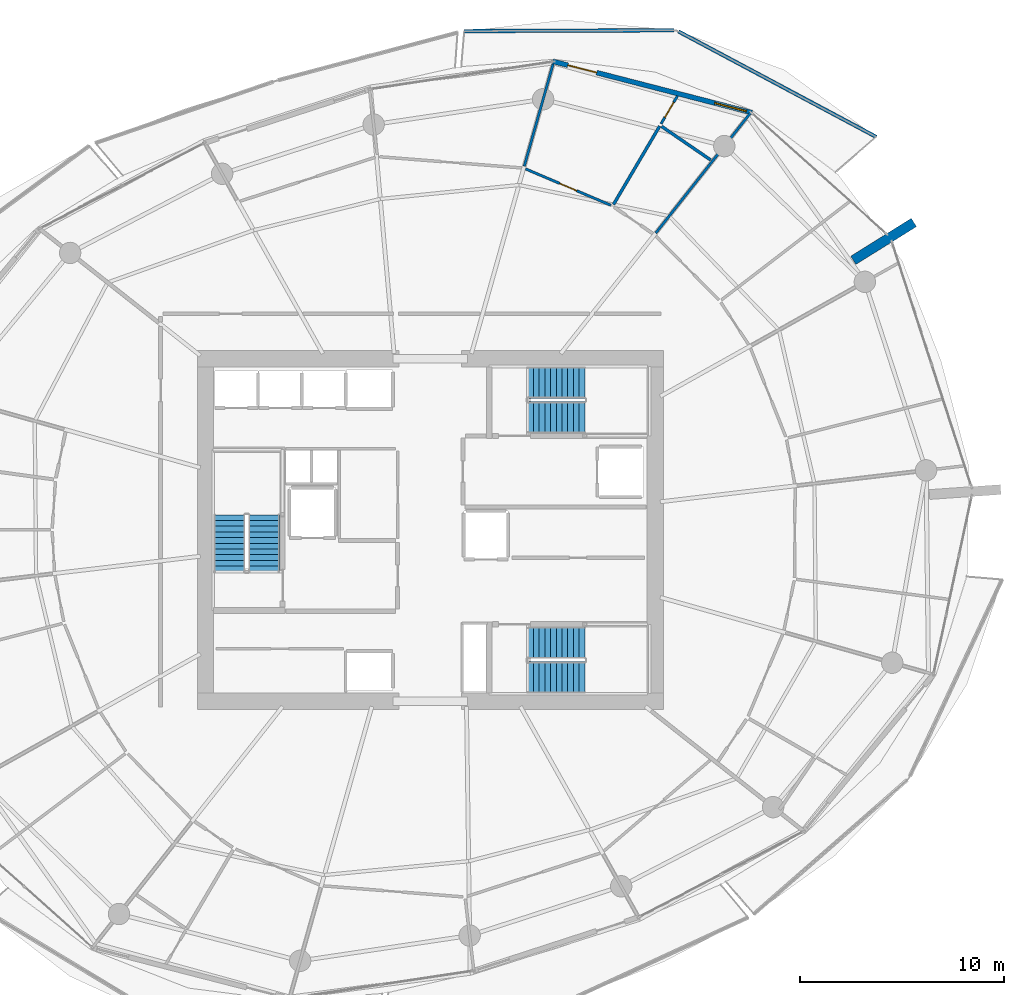
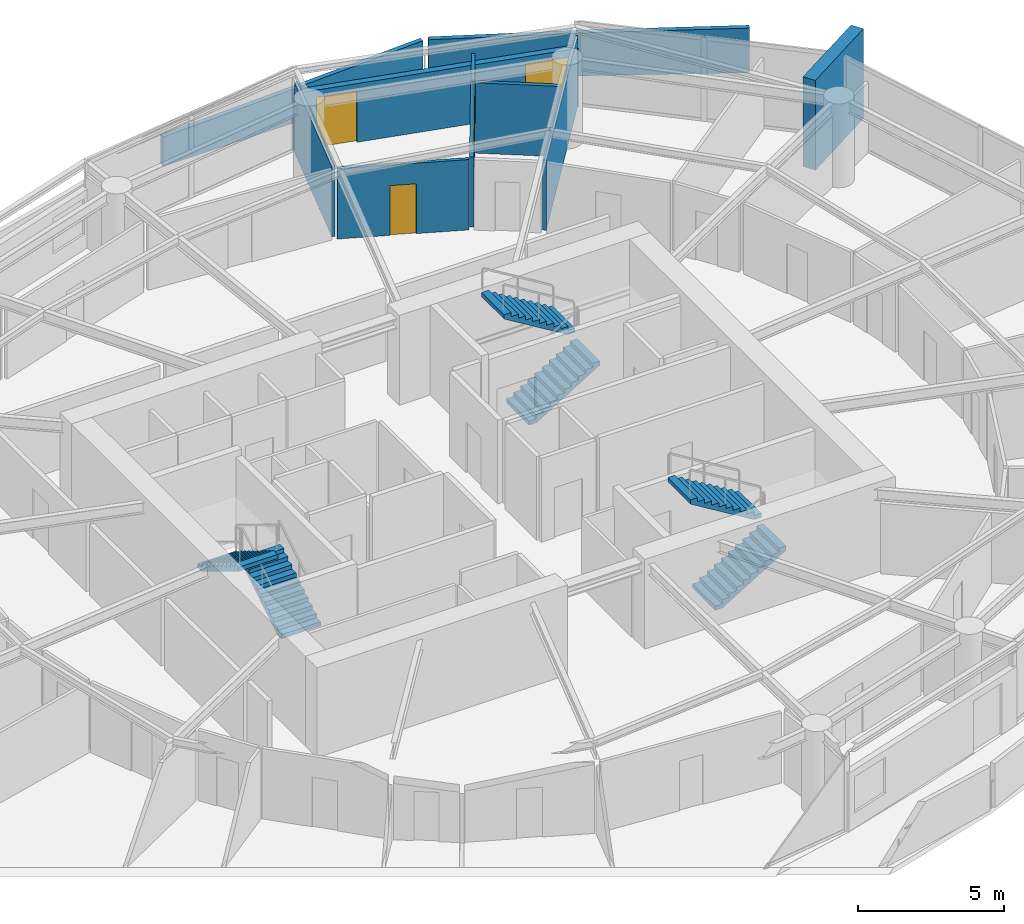
# One storey, part 15 of 20: 10 walls, 6 stair flights, 3 doors, 1 window, 4 openings, 3 elements without a shape of their own.
"""IFC4 building model written with IfcOpenShell, lengths in metres."""

from ifc_helpers import new_model, si_unit, direction, frame, frame_2d, origin, place, context, subcontext, project, spatial, polyline, rectangle, outline, extrude, material, layer, layer_set, type_object, element, fill, aggregate, save


model = new_model("IFC4")

# Units and contexts
model_context = context("Model", 3, precision=1e-05, world=origin(), true_north=direction((0.0, 1.0)))
body_context = subcontext(model_context, "Body", "Model", "MODEL_VIEW")
ifc_project = project(units=[si_unit("LENGTHUNIT", "METRE"), si_unit("AREAUNIT", "SQUARE_METRE"), si_unit("VOLUMEUNIT", "CUBIC_METRE"), si_unit("PLANEANGLEUNIT", "RADIAN"), si_unit("MASSUNIT", "GRAM", prefix="KILO")], contexts=[model_context])

# Site, building, storey
site_placement = place(None, origin())
site = spatial("IfcSite", under=ifc_project, at=site_placement, CompositionType="ELEMENT")
building_placement = place(site_placement, origin())
building = spatial("IfcBuilding", under=site, at=building_placement, Name="Kazma Halo Residences", CompositionType="ELEMENT")
storey_placement = place(building_placement, frame((0.0, 0.0, 139.050048828125)))
storey = spatial("IfcBuildingStorey", under=building, at=storey_placement, Name="L34", CompositionType="ELEMENT", Elevation=139.050048828125)

# Walls
ifc_material_1 = material(Name="White Concrete C50/60 Balustrade", Category="concrete")
ifc_layer_1 = layer(ifc_material_1, 0.179931640625)
ifc_layer_set_1 = layer_set([ifc_layer_1], Name="White Concrete C50/60 Balustrade")
wall_type_1 = type_object("IfcWallType", Name="WL-BAL-WAVE-180", PredefinedType="PARAPET", material=ifc_layer_set_1)
wall_1_placement = place(storey_placement, frame((70.2900390625, 61.274169921875, 0.0), z_axis=(0.0, 0.0, 1.0), x_axis=(-0.882327117471, 0.470636651543, 0.0)))
element("IfcWall", 1, at=wall_1_placement, inside=storey, type_object=wall_type_1, Name="L34 white wave balustrade wall NE.1", PredefinedType="PARAPET", context=body_context, shape_type="SweptSolid", body=[
    extrude(outline(polyline([(0.0, 0.0), (10.9921875, 0.0), (10.9921875, 1.6318359375), (5.49609375, 1.7978515625), (0.0, 1.85986328125), (0.0, 0.0)])), frame((0.0, 0.08984375, 0.0), z_axis=(0.0, -1.0, 0.0), x_axis=(1.0, 0.0, 0.0)), (0.0, 0.0, 1.0), 0.179931640625),
])
wall_2_placement = place(storey_placement, frame((60.365478515625, 66.50341796875, 0.0), z_axis=(0.0, 0.0, 1.0), x_axis=(-0.999991960948, -0.004009743075, 0.0)))
element("IfcWall", 2, at=wall_2_placement, inside=storey, type_object=wall_type_1, Name="L34 white wave balustrade wall NE.2", PredefinedType="PARAPET", context=body_context, shape_type="SweptSolid", body=[
    extrude(outline(polyline([(0.0, 0.0), (10.289794921875, 0.0), (10.289794921875, 1.23291015625), (5.14501953125, 1.41796875), (0.0, 1.6318359375), (0.0, 0.0)])), frame((0.0, 0.08984375, 0.0), z_axis=(0.0, -1.0, 0.0), x_axis=(1.0, 0.0, 0.0)), (0.0, 0.0, 1.0), 0.179931640625),
])
ifc_material_2 = material(Name="Pale Concrete C60/75", Category="concrete")
ifc_layer_2 = layer(ifc_material_2, 0.47998046875)
ifc_layer_set_2 = layer_set([ifc_layer_2], Name="Pale Concrete C60/75")
wall_type_2 = type_object("IfcWallType", Name="WL-BLADE-480", PredefinedType="SOLIDWALL", material=ifc_layer_set_2)
wall_3_placement = place(storey_placement, frame((69.165283203125, 55.2255859375, 0.0), z_axis=(0.0, 0.0, 1.0), x_axis=(0.848053161125, 0.529911158502, 0.0)))
element("IfcWall", 3, at=wall_3_placement, inside=storey, type_object=wall_type_2, Name="L34 pale concrete structural blade fin wall BW-01", PredefinedType="SOLIDWALL", context=body_context, shape_type="SweptSolid", body=[
    extrude(rectangle(XDim=3.5, YDim=0.47998046875, at=frame_2d((1.75, 0.0))), origin(), (0.0, 0.0, 1.0), 3.75),
])

# Wall, openings, door, window
ifc_material_3 = material(Name="Insulated Pale-Metal Composite Wall")
ifc_layer_3 = layer(ifc_material_3, 0.239990234375)
ifc_layer_set_3 = layer_set([ifc_layer_3], Name="Insulated Pale-Metal Composite Wall")
wall_type_3 = type_object("IfcWallType", Name="WL-EXT-HOST-240", PredefinedType="SOLIDWALL", material=ifc_layer_set_3)
wall_4_placement = place(storey_placement, frame((64.192138671875, 62.4658203125, 0.0), z_axis=(0.0, 0.0, 1.0), x_axis=(-0.968379685126, 0.249481032214, 0.0)))
wall_4 = element("IfcWall", 4, at=wall_4_placement, inside=storey, type_object=wall_type_3, Name="L34 exterior terrace-access wall B02", PredefinedType="SOLIDWALL", context=body_context, shape_type="SweptSolid", body=[
    extrude(rectangle(XDim=10.08154296875, YDim=0.239990234375, at=frame_2d((5.040771484375, 0.0))), origin(), (0.0, 0.0, 1.0), 2.449951171875),
])
opening_1_placement = place(wall_4_placement, frame((7.861572265625, 0.0, 0.0)))
opening_1 = element("IfcOpeningElement", 5, at=opening_1_placement, cuts=wall_4, Name="Opening DTR-1600", PredefinedType="OPENING", context=body_context, shape_type="SweptSolid", body=[
    extrude(rectangle(XDim=1.449951171875, YDim=2.14990234375, at=frame_2d((0.72509765625, 1.074951171875))), frame((0.0, 0.1298828125, 0.0), z_axis=(0.0, -1.0, 0.0), x_axis=(1.0, 0.0, 0.0)), (0.0, 0.0, 1.0), 0.260009765625),
])
opening_2_placement = place(wall_4_placement, frame((0.280029296875, 0.0, 0.64990234375)))
opening_2 = element("IfcOpeningElement", 6, at=opening_2_placement, cuts=wall_4, Name="Opening W-1800", PredefinedType="OPENING", context=body_context, shape_type="SweptSolid", body=[
    extrude(rectangle(XDim=1.60009765625, YDim=1.5, at=frame_2d((0.800048828125, 0.75))), frame((0.0, 0.1298828125, 0.0), z_axis=(0.0, -1.0, 0.0), x_axis=(1.0, 0.0, 0.0)), (0.0, 0.0, 1.0), 0.260009765625),
])
ifc_material_4 = material(Name="Aluminium AW-6063 T6 Double-Glazed Terrace Door", Category="aluminium")
door_type_1 = type_object("IfcDoorType", Name="DR-EXT-TERR-1600", OperationType="NOTDEFINED", PredefinedType="DOOR", material=ifc_material_4)
door_1_placement = place(opening_1_placement, origin())
door_1 = element("IfcDoor", 7, at=door_1_placement, inside=storey, type_object=door_type_1, Name="L34 B02 balcony terrace door", OperationType="DOUBLE_DOOR_SLIDING", OverallHeight=2.14990234375, OverallWidth=1.449951171875, PredefinedType="DOOR", context=body_context, shape_type="SweptSolid", body=[
    extrude(rectangle(XDim=1.449951171875, YDim=2.14990234375, at=frame_2d((0.72509765625, 1.074951171875))), frame((0.0, 0.02490234375, 0.0), z_axis=(0.0, -1.0, 0.0), x_axis=(1.0, 0.0, 0.0)), (0.0, 0.0, 1.0), 0.050048828125),
])
fill(opening_1, door_1)
ifc_material_5 = material(Name="Clear Triple-Silver Low-E Glass in Aluminium AW-6063 T6 Frame", Category="aluminium")
window_type = type_object("IfcWindowType", Name="WIN-RES-1800", PartitioningType="DOUBLE_PANEL_VERTICAL", PredefinedType="WINDOW", material=ifc_material_5)
window_placement = place(opening_2_placement, origin())
window = element("IfcWindow", 8, at=window_placement, inside=storey, type_object=window_type, Name="L34 B02 apartment window", OverallHeight=1.5, OverallWidth=1.60009765625, PartitioningType="SINGLE_PANEL", PredefinedType="WINDOW", context=body_context, shape_type="SweptSolid", body=[
    extrude(rectangle(XDim=1.60009765625, YDim=1.5, at=frame_2d((0.800048828125, 0.75))), frame((0.0, 0.030029296875, 0.0), z_axis=(0.0, -1.0, 0.0), x_axis=(1.0, 0.0, 0.0)), (0.0, 0.0, 1.0), 0.06005859375),
])
fill(opening_2, window)

# Wall
ifc_material_6 = material(Name="Gypsum Plasterboard Partition")
ifc_layer_4 = layer(ifc_material_6, 0.125)
ifc_layer_set_4 = layer_set([ifc_layer_4], Name="Gypsum Plasterboard Partition")
wall_type_4 = type_object("IfcWallType", Name="WL-PART-125", PredefinedType="PARTITIONING", material=ifc_layer_set_4)
wall_5_placement = place(storey_placement, frame((59.477294921875, 56.55908203125, 0.0), z_axis=(0.0, 0.0, 1.0), x_axis=(0.619110986016, 0.785303499925, 0.0)))
element("IfcWall", 9, at=wall_5_placement, inside=storey, type_object=wall_type_4, Name="L34 Apartment 2 radial partition 1", PredefinedType="PARTITIONING", context=body_context, shape_type="SweptSolid", body=[
    extrude(rectangle(XDim=7.5126953125, YDim=0.125, at=frame_2d((3.75634765625, 0.0))), origin(), (0.0, 0.0, 1.0), 2.93994140625),
])

# Wall, opening, door
wall_6_placement = place(storey_placement, frame((59.7373046875, 61.91796875, 0.0), z_axis=(0.0, 0.0, 1.0), x_axis=(0.507633052519, 0.86157337702, 0.0)))
wall_6 = element("IfcWall", 10, at=wall_6_placement, inside=storey, type_object=wall_type_4, Name="L34 Apartment 2 Outer Walk-In Wardrobe partition wall", PredefinedType="PARTITIONING", context=body_context, shape_type="SweptSolid", body=[
    extrude(rectangle(XDim=1.583740234375, YDim=0.125, at=frame_2d((0.7919921875, 0.0))), origin(), (0.0, 0.0, 1.0), 2.93994140625),
])
opening_3_placement = place(wall_6_placement, frame((0.366943359375, 0.0, 0.0)))
opening_3 = element("IfcOpeningElement", 11, at=opening_3_placement, cuts=wall_6, Name="Opening DB-900", PredefinedType="OPENING", context=body_context, shape_type="SweptSolid", body=[
    extrude(rectangle(XDim=0.85009765625, YDim=2.06005859375, at=frame_2d((0.425048828125, 1.030029296875))), frame((0.0, 0.072509765625, 0.0), z_axis=(0.0, -1.0, 0.0), x_axis=(1.0, 0.0, 0.0)), (0.0, 0.0, 1.0), 0.14501953125),
])
ifc_material_7 = material(Name="Moisture-Sealed Timber Leaf", Category="wood")
door_type_2 = type_object("IfcDoorType", Name="DR-BTH-900", OperationType="NOTDEFINED", PredefinedType="DOOR", material=ifc_material_7)
door_2_placement = place(opening_3_placement, origin())
door_2 = element("IfcDoor", 12, at=door_2_placement, inside=storey, type_object=door_type_2, Name="L34 Apartment 2 Outer Walk-In Wardrobe door", OperationType="SINGLE_SWING_LEFT", OverallHeight=2.06005859375, OverallWidth=0.85009765625, PredefinedType="DOOR", context=body_context, shape_type="SweptSolid", body=[
    extrude(rectangle(XDim=0.85009765625, YDim=2.06005859375, at=frame_2d((0.425048828125, 1.030029296875))), frame((0.0, 0.02490234375, 0.0), z_axis=(0.0, -1.0, 0.0), x_axis=(1.0, 0.0, 0.0)), (0.0, 0.0, 1.0), 0.050048828125),
])
fill(opening_3, door_2)

wall_7_placement = place(storey_placement, frame((57.278564453125, 57.92138671875, 0.0), z_axis=(0.0, 0.0, 1.0), x_axis=(-0.919613735451, 0.392823850561, 0.0)))
wall_7 = element("IfcWall", 13, at=wall_7_placement, inside=storey, type_object=wall_type_4, Name="L34 Apartment 2 Corner Master Bedroom hall wall", PredefinedType="PARTITIONING", context=body_context, shape_type="SweptSolid", body=[
    extrude(rectangle(XDim=4.546875, YDim=0.125, at=frame_2d((2.2734375, 0.0))), origin(), (0.0, 0.0, 1.0), 2.93994140625),
])
opening_4_placement = place(wall_7_placement, frame((1.823486328125, 0.0, 0.0)))
opening_4 = element("IfcOpeningElement", 14, at=opening_4_placement, cuts=wall_7, Name="Opening DI-950", PredefinedType="OPENING", context=body_context, shape_type="SweptSolid", body=[
    extrude(rectangle(XDim=0.89990234375, YDim=2.080078125, at=frame_2d((0.449951171875, 1.0400390625))), frame((0.0, 0.072509765625, 0.0), z_axis=(0.0, -1.0, 0.0), x_axis=(1.0, 0.0, 0.0)), (0.0, 0.0, 1.0), 0.14501953125),
])
ifc_material_8 = material(Name="Timber Veneer Flush Leaf", Category="wood")
door_type_3 = type_object("IfcDoorType", Name="DR-INT-950", OperationType="NOTDEFINED", PredefinedType="DOOR", material=ifc_material_8)
door_3_placement = place(opening_4_placement, origin())
door_3 = element("IfcDoor", 15, at=door_3_placement, inside=storey, type_object=door_type_3, Name="L34 Apartment 2 Corner Master Bedroom door", OperationType="SINGLE_SWING_RIGHT", OverallHeight=2.080078125, OverallWidth=0.89990234375, PredefinedType="DOOR", context=body_context, shape_type="SweptSolid", body=[
    extrude(rectangle(XDim=0.89990234375, YDim=2.080078125, at=frame_2d((0.449951171875, 1.0400390625))), frame((0.0, 0.02490234375, 0.0), z_axis=(0.0, -1.0, 0.0), x_axis=(1.0, 0.0, 0.0)), (0.0, 0.0, 1.0), 0.050048828125),
])
fill(opening_4, door_3)

# Walls
wall_8_placement = place(storey_placement, frame((53.0322265625, 59.843017578125, 0.0), z_axis=(0.0, 0.0, 1.0), x_axis=(0.271445669276, 0.962453764412, 0.0)))
element("IfcWall", 16, at=wall_8_placement, inside=storey, type_object=wall_type_4, Name="L34 Apartment 2 radial partition 2", PredefinedType="PARTITIONING", context=body_context, shape_type="SweptSolid", body=[
    extrude(rectangle(XDim=5.200439453125, YDim=0.125, at=frame_2d((2.60009765625, 0.0))), origin(), (0.0, 0.0, 1.0), 2.93994140625),
])
ifc_material_9 = material(Name="Moisture-Resistant Gypsum")
ifc_layer_5 = layer(ifc_material_9, 0.14990234375)
ifc_layer_set_5 = layer_set([ifc_layer_5], Name="Moisture-Resistant Gypsum")
wall_type_5 = type_object("IfcWallType", Name="WL-WET-150", PredefinedType="PARTITIONING", material=ifc_layer_set_5)
wall_9_placement = place(storey_placement, frame((62.174560546875, 60.1416015625, 0.0), z_axis=(0.0, 0.0, 1.0), x_axis=(-0.825323675893, 0.564659924212, 0.0)))
element("IfcWall", 17, at=wall_9_placement, inside=storey, type_object=wall_type_5, Name="L34 Apartment 2 Inner En-Suite Bathroom back wall", PredefinedType="PARTITIONING", context=body_context, shape_type="SweptSolid", body=[
    extrude(rectangle(XDim=2.91845703125, YDim=0.14990234375, at=frame_2d((1.459228515625, 0.0))), origin(), (0.0, 0.0, 1.0), 2.93994140625),
])
wall_10_placement = place(storey_placement, frame((57.406982421875, 57.96337890625, 0.0), z_axis=(0.0, 0.0, 1.0), x_axis=(0.507701739566, 0.8615329034, 0.0)))
element("IfcWall", 18, at=wall_10_placement, inside=storey, type_object=wall_type_5, Name="L34 Apartment 2 Inner En-Suite Bathroom side wall", PredefinedType="PARTITIONING", context=body_context, shape_type="SweptSolid", body=[
    extrude(rectangle(XDim=4.460205078125, YDim=0.14990234375, at=frame_2d((2.22998046875, 0.0))), origin(), (0.0, 0.0, 1.0), 2.93994140625),
])

# Stair, stair flights
ifc_material_10 = material(Name="Concrete C50/60", Category="concrete")
stair_type = type_object("IfcStairType", Name="STR-RES1", PredefinedType="HALF_TURN_STAIR", material=ifc_material_10)
stair_1_placement = place(storey_placement, origin())
stair_1 = element("IfcStair", 19, at=stair_1_placement, inside=storey, type_object=stair_type, Name="L34 Core exit stair ST-01", PredefinedType="HALF_TURN_STAIR")
stair_flight_type = type_object("IfcStairFlightType", Name="STR-RES1-FLT", PredefinedType="STRAIGHT", material=ifc_material_10)
stair_flight_1_placement = place(storey_placement, frame((40.27490234375, 39.949951171875, 0.0), z_axis=(0.0, 0.0, 1.0), x_axis=(0.0, 1.0, 0.0)))
stair_flight_1 = element("IfcStairFlight", 20, at=stair_flight_1_placement, type_object=stair_flight_type, Name="ST-01 flight 1", NumberOfRisers=11, NumberOfTreads=10, PredefinedType="STRAIGHT", RiserHeight=0.170454545, TreadLength=0.28, context=body_context, shape_type="SweptSolid", body=[
    extrude(outline(polyline([(0.0, 0.0), (0.0, 0.17041015625), (0.280029296875, 0.17041015625), (0.280029296875, 0.3408203125), (0.56005859375, 0.3408203125), (0.56005859375, 0.511474609375), (0.840087890625, 0.511474609375), (0.840087890625, 0.681884765625), (1.1201171875, 0.681884765625), (1.1201171875, 0.852294921875), (1.39990234375, 0.852294921875), (1.39990234375, 1.022705078125), (1.679931640625, 1.022705078125), (1.679931640625, 1.193115234375), (1.9599609375, 1.193115234375), (1.9599609375, 1.363525390625), (2.239990234375, 1.363525390625), (2.239990234375, 1.5341796875), (2.52001953125, 1.5341796875), (2.52001953125, 1.70458984375), (2.800048828125, 1.70458984375), (2.800048828125, 1.875), (2.800048828125, 1.529052734375), (0.288330078125, 0.0), (0.0, 0.0)])), frame((0.0, 0.77490234375, 0.0), z_axis=(0.0, -1.0, 0.0), x_axis=(1.0, 0.0, 0.0)), (0.0, 0.0, 1.0), 1.550048828125),
])
stair_flight_2_placement = place(storey_placement, frame((38.574951171875, 42.75, 1.875), z_axis=(0.0, 0.0, 1.0), x_axis=(0.0, -1.0, 0.0)))
stair_flight_2 = element("IfcStairFlight", 21, at=stair_flight_2_placement, type_object=stair_flight_type, Name="ST-01 flight 2", NumberOfRisers=11, NumberOfTreads=10, PredefinedType="STRAIGHT", RiserHeight=0.170454545, TreadLength=0.28, context=body_context, shape_type="SweptSolid", body=[
    extrude(outline(polyline([(0.0, 0.0), (0.0, 0.17041015625), (0.280029296875, 0.17041015625), (0.280029296875, 0.3408203125), (0.56005859375, 0.3408203125), (0.56005859375, 0.511474609375), (0.840087890625, 0.511474609375), (0.840087890625, 0.681884765625), (1.1201171875, 0.681884765625), (1.1201171875, 0.852294921875), (1.39990234375, 0.852294921875), (1.39990234375, 1.022705078125), (1.679931640625, 1.022705078125), (1.679931640625, 1.193115234375), (1.9599609375, 1.193115234375), (1.9599609375, 1.363525390625), (2.239990234375, 1.363525390625), (2.239990234375, 1.5341796875), (2.52001953125, 1.5341796875), (2.52001953125, 1.70458984375), (2.800048828125, 1.70458984375), (2.800048828125, 1.875), (2.800048828125, 1.529052734375), (0.288330078125, 0.0), (0.0, 0.0)])), frame((0.0, 0.77490234375, 0.0), z_axis=(0.0, -1.0, 0.0), x_axis=(1.0, 0.0, 0.0)), (0.0, 0.0, 1.0), 1.550048828125),
])
aggregate(stair_1, [stair_flight_1, stair_flight_2])

stair_2_placement = place(storey_placement, origin())
stair_2 = element("IfcStair", 22, at=stair_2_placement, inside=storey, type_object=stair_type, Name="L34 Core exit stair ST-02", PredefinedType="HALF_TURN_STAIR")
stair_flight_3_placement = place(storey_placement, frame((53.199951171875, 47.52490234375, 0.0), z_axis=(0.0, 0.0, 1.0), x_axis=(1.0, 0.0, 0.0)))
stair_flight_3 = element("IfcStairFlight", 23, at=stair_flight_3_placement, type_object=stair_flight_type, Name="ST-02 flight 1", NumberOfRisers=11, NumberOfTreads=10, PredefinedType="STRAIGHT", RiserHeight=0.170454545, TreadLength=0.28, context=body_context, shape_type="SweptSolid", body=[
    extrude(outline(polyline([(0.0, 0.0), (0.0, 0.17041015625), (0.280029296875, 0.17041015625), (0.280029296875, 0.3408203125), (0.56005859375, 0.3408203125), (0.56005859375, 0.511474609375), (0.840087890625, 0.511474609375), (0.840087890625, 0.681884765625), (1.1201171875, 0.681884765625), (1.1201171875, 0.852294921875), (1.39990234375, 0.852294921875), (1.39990234375, 1.022705078125), (1.679931640625, 1.022705078125), (1.679931640625, 1.193115234375), (1.9599609375, 1.193115234375), (1.9599609375, 1.363525390625), (2.239990234375, 1.363525390625), (2.239990234375, 1.5341796875), (2.52001953125, 1.5341796875), (2.52001953125, 1.70458984375), (2.800048828125, 1.70458984375), (2.800048828125, 1.875), (2.800048828125, 1.529052734375), (0.288330078125, 0.0), (0.0, 0.0)])), frame((0.0, 0.77490234375, 0.0), z_axis=(0.0, -1.0, 0.0), x_axis=(1.0, 0.0, 0.0)), (0.0, 0.0, 1.0), 1.550048828125),
])
stair_flight_4_placement = place(storey_placement, frame((56.0, 49.22509765625, 1.875), z_axis=(0.0, 0.0, 1.0), x_axis=(-1.0, 0.0, 0.0)))
stair_flight_4 = element("IfcStairFlight", 24, at=stair_flight_4_placement, type_object=stair_flight_type, Name="ST-02 flight 2", NumberOfRisers=11, NumberOfTreads=10, PredefinedType="STRAIGHT", RiserHeight=0.170454545, TreadLength=0.28, context=body_context, shape_type="SweptSolid", body=[
    extrude(outline(polyline([(0.0, 0.0), (0.0, 0.17041015625), (0.280029296875, 0.17041015625), (0.280029296875, 0.3408203125), (0.56005859375, 0.3408203125), (0.56005859375, 0.511474609375), (0.840087890625, 0.511474609375), (0.840087890625, 0.681884765625), (1.1201171875, 0.681884765625), (1.1201171875, 0.852294921875), (1.39990234375, 0.852294921875), (1.39990234375, 1.022705078125), (1.679931640625, 1.022705078125), (1.679931640625, 1.193115234375), (1.9599609375, 1.193115234375), (1.9599609375, 1.363525390625), (2.239990234375, 1.363525390625), (2.239990234375, 1.5341796875), (2.52001953125, 1.5341796875), (2.52001953125, 1.70458984375), (2.800048828125, 1.70458984375), (2.800048828125, 1.875), (2.800048828125, 1.529052734375), (0.288330078125, 0.0), (0.0, 0.0)])), frame((0.0, 0.77490234375, 0.0), z_axis=(0.0, -1.0, 0.0), x_axis=(1.0, 0.0, 0.0)), (0.0, 0.0, 1.0), 1.550048828125),
])
aggregate(stair_2, [stair_flight_3, stair_flight_4])

stair_3_placement = place(storey_placement, origin())
stair_3 = element("IfcStair", 25, at=stair_3_placement, inside=storey, type_object=stair_type, Name="L34 Core exit stair ST-03", PredefinedType="HALF_TURN_STAIR")
stair_flight_5_placement = place(storey_placement, frame((53.199951171875, 34.77490234375, 0.0), z_axis=(0.0, 0.0, 1.0), x_axis=(1.0, 0.0, 0.0)))
stair_flight_5 = element("IfcStairFlight", 26, at=stair_flight_5_placement, type_object=stair_flight_type, Name="ST-03 flight 1", NumberOfRisers=11, NumberOfTreads=10, PredefinedType="STRAIGHT", RiserHeight=0.170454545, TreadLength=0.28, context=body_context, shape_type="SweptSolid", body=[
    extrude(outline(polyline([(0.0, 0.0), (0.0, 0.17041015625), (0.280029296875, 0.17041015625), (0.280029296875, 0.3408203125), (0.56005859375, 0.3408203125), (0.56005859375, 0.511474609375), (0.840087890625, 0.511474609375), (0.840087890625, 0.681884765625), (1.1201171875, 0.681884765625), (1.1201171875, 0.852294921875), (1.39990234375, 0.852294921875), (1.39990234375, 1.022705078125), (1.679931640625, 1.022705078125), (1.679931640625, 1.193115234375), (1.9599609375, 1.193115234375), (1.9599609375, 1.363525390625), (2.239990234375, 1.363525390625), (2.239990234375, 1.5341796875), (2.52001953125, 1.5341796875), (2.52001953125, 1.70458984375), (2.800048828125, 1.70458984375), (2.800048828125, 1.875), (2.800048828125, 1.529052734375), (0.288330078125, 0.0), (0.0, 0.0)])), frame((0.0, 0.77490234375, 0.0), z_axis=(0.0, -1.0, 0.0), x_axis=(1.0, 0.0, 0.0)), (0.0, 0.0, 1.0), 1.550048828125),
])
stair_flight_6_placement = place(storey_placement, frame((56.0, 36.47509765625, 1.875), z_axis=(0.0, 0.0, 1.0), x_axis=(-1.0, 0.0, 0.0)))
stair_flight_6 = element("IfcStairFlight", 27, at=stair_flight_6_placement, type_object=stair_flight_type, Name="ST-03 flight 2", NumberOfRisers=11, NumberOfTreads=10, PredefinedType="STRAIGHT", RiserHeight=0.170454545, TreadLength=0.28, context=body_context, shape_type="SweptSolid", body=[
    extrude(outline(polyline([(0.0, 0.0), (0.0, 0.17041015625), (0.280029296875, 0.17041015625), (0.280029296875, 0.3408203125), (0.56005859375, 0.3408203125), (0.56005859375, 0.511474609375), (0.840087890625, 0.511474609375), (0.840087890625, 0.681884765625), (1.1201171875, 0.681884765625), (1.1201171875, 0.852294921875), (1.39990234375, 0.852294921875), (1.39990234375, 1.022705078125), (1.679931640625, 1.022705078125), (1.679931640625, 1.193115234375), (1.9599609375, 1.193115234375), (1.9599609375, 1.363525390625), (2.239990234375, 1.363525390625), (2.239990234375, 1.5341796875), (2.52001953125, 1.5341796875), (2.52001953125, 1.70458984375), (2.800048828125, 1.70458984375), (2.800048828125, 1.875), (2.800048828125, 1.529052734375), (0.288330078125, 0.0), (0.0, 0.0)])), frame((0.0, 0.77490234375, 0.0), z_axis=(0.0, -1.0, 0.0), x_axis=(1.0, 0.0, 0.0)), (0.0, 0.0, 1.0), 1.550048828125),
])
aggregate(stair_3, [stair_flight_5, stair_flight_6])

save(model, "model.ifc")
